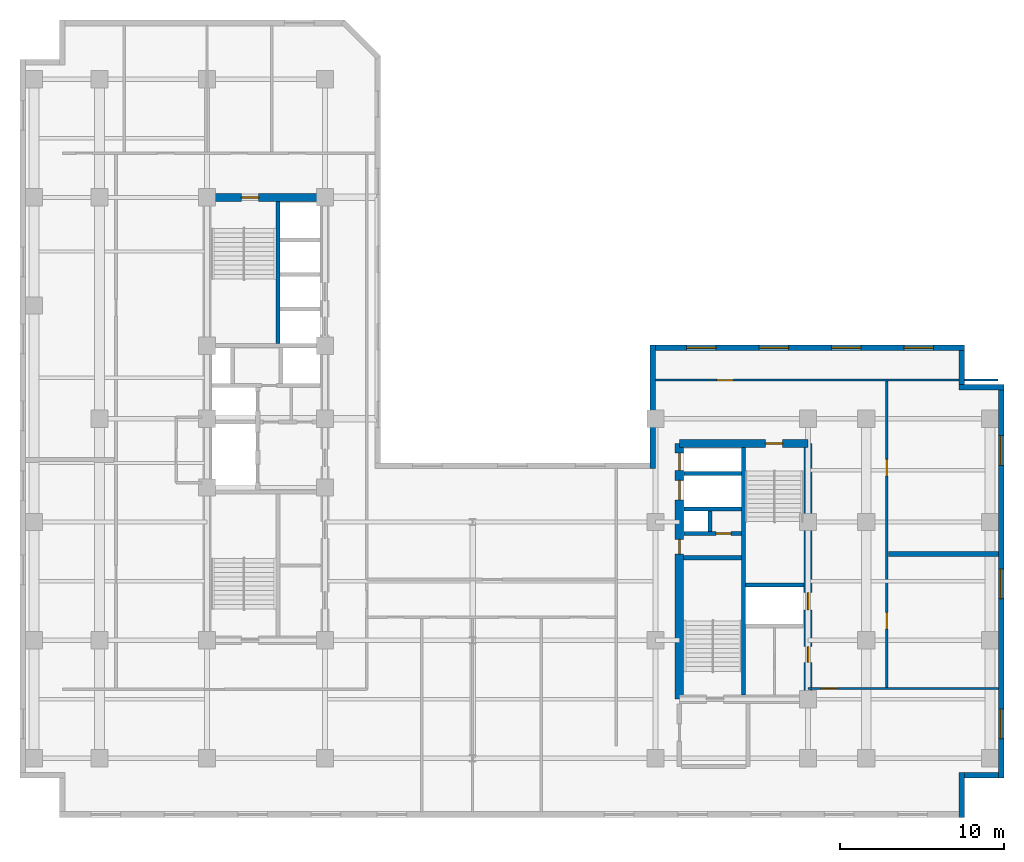
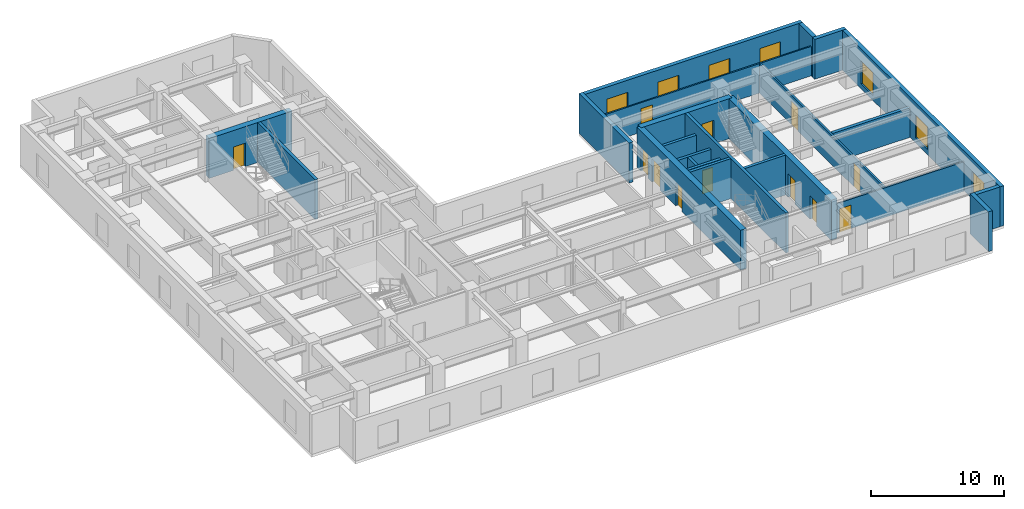
# One storey, part 5 of 9: 23 walls, 12 doors, 7 windows, 19 openings.
"""IFC4 building model written with IfcOpenShell, lengths in metres."""

from ifc_helpers import new_model, entity, si_unit, converted_unit, direction, frame, origin_with_axes, origin_2d_with_axis, place, context, subcontext, project, spatial, polyline, rectangle, outline, extrude, material, layer, layer_set, type_object, element, fill, save


model = new_model("IFC4")

# Units and contexts
model_context = context("Model", 3, precision=1e-05, world=origin_with_axes(), true_north=direction((0.0, 1.0)))
body_context = subcontext(model_context, "Body", "Model", "MODEL_VIEW")
ifc_project = project(units=[si_unit("LENGTHUNIT", "METRE"), si_unit("AREAUNIT", "SQUARE_METRE"), si_unit("VOLUMEUNIT", "CUBIC_METRE"), converted_unit("PLANEANGLEUNIT", "DEGREE", entity("IfcPlaneAngleMeasure", 0.017453292519943295), si_unit("PLANEANGLEUNIT", "RADIAN"), dimensions=[0, 0, 0, 0, 0, 0, 0]), si_unit("MASSUNIT", "GRAM", prefix="KILO"), si_unit("THERMODYNAMICTEMPERATUREUNIT", "KELVIN")], contexts=[model_context])

# Site, building, storey
site_placement = place(None, origin_with_axes())
site = spatial("IfcSite", under=ifc_project, at=site_placement, CompositionType="ELEMENT")
building_placement = place(site_placement, origin_with_axes())
building = spatial("IfcBuilding", under=site, at=building_placement, Name="Varnlund Millrace Tower", CompositionType="ELEMENT")
storey_placement = place(building_placement, frame((0.0, 0.0, 140.7), z_axis=(0.0, 0.0, 1.0), x_axis=(1.0, 0.0, 0.0)))
storey = spatial("IfcBuildingStorey", under=building, at=storey_placement, Name="L34", CompositionType="ELEMENT", Elevation=140.7)

# Wall, opening, door
ifc_material_1 = material(Name="Concrete C70/85", Category="concrete")
ifc_layer_1 = layer(ifc_material_1, 0.5, Name="Concrete C70/85")
ifc_layer_set_1 = layer_set([ifc_layer_1], Name="Concrete C70/85")
wall_type_1 = type_object("IfcWallType", Name="Type-CoreWall-Shear-500-C70", PredefinedType="SHEAR", material=ifc_layer_set_1)
wall_1_placement = place(storey_placement, frame((11.4, 37.8, 0.0), z_axis=(0.0, 0.0, 1.0), x_axis=(1.0, 0.0, 0.0)))
wall_1 = element("IfcWall", 1, at=wall_1_placement, inside=storey, type_object=wall_type_1, Name="Type-CoreWall-Shear-500-C70", PredefinedType="SHEAR", context=body_context, shape_type="SweptSolid", body=[
    extrude(outline(polyline([(0.0, -0.25), (7.2, -0.25), (7.2, 0.25), (0.0, 0.25), (0.0, -0.25)])), origin_with_axes(), (0.0, 0.0, 1.0), 3.66),
])
opening_1_placement = place(wall_1_placement, frame((2.625, 0.0, 0.0), z_axis=(0.0, 0.0, 1.0), x_axis=(1.0, 0.0, 0.0)))
opening_1 = element("IfcOpeningElement", 2, at=opening_1_placement, cuts=wall_1, Name="Opening L34:DR-STA2", PredefinedType="OPENING", context=body_context, shape_type="SweptSolid", body=[
    extrude(rectangle(XDim=1.05, YDim=0.52, at=origin_2d_with_axis()), origin_with_axes(), (0.0, 0.0, 1.0), 2.15),
])
ifc_material_2 = material(Name="Fire-rated hollow steel door", Category="steel")
door_type_1 = type_object("IfcDoorType", Name="Type-FireDoor-Stair-1050X2150", OperationType="NOTDEFINED", PredefinedType="DOOR", material=ifc_material_2)
door_1_placement = place(wall_1_placement, frame((2.625, 0.0, 0.0), z_axis=(0.0, 0.0, 1.0), x_axis=(1.0, 0.0, 0.0)))
door_1 = element("IfcDoor", 3, at=door_1_placement, inside=storey, type_object=door_type_1, Name="Type-FireDoor-Stair-1050X2150", OperationType="SINGLE_SWING_RIGHT", OverallHeight=2.15, OverallWidth=1.05, PredefinedType="DOOR", context=body_context, shape_type="SweptSolid", body=[
    extrude(rectangle(XDim=1.05, YDim=0.09, at=origin_2d_with_axis()), origin_with_axes(), (0.0, 0.0, 1.0), 2.15),
])
fill(opening_1, door_1)

# Wall, openings, doors
wall_2_placement = place(storey_placement, frame((40.2, 7.2, 0.0), z_axis=(0.0, 0.0, 1.0), x_axis=(0.0, 1.0, 0.0)))
wall_2 = element("IfcWall", 4, at=wall_2_placement, inside=storey, type_object=wall_type_1, Name="Type-CoreWall-Shear-500-C70", PredefinedType="SHEAR", context=body_context, shape_type="SweptSolid", body=[
    extrude(outline(polyline([(0.0, -0.25), (15.6, -0.25), (15.6, 0.25), (0.0, 0.25), (0.0, -0.25)])), origin_with_axes(), (0.0, 0.0, 1.0), 3.66),
])
opening_2_placement = place(wall_2_placement, frame((14.475, 0.0, 0.0), z_axis=(0.0, 0.0, 1.0), x_axis=(1.0, 0.0, 0.0)))
opening_2 = element("IfcOpeningElement", 5, at=opening_2_placement, cuts=wall_2, Name="Opening L34:LD-ELV-M4", PredefinedType="OPENING", context=body_context, shape_type="SweptSolid", body=[
    extrude(rectangle(XDim=1.05, YDim=0.52, at=origin_2d_with_axis()), origin_with_axes(), (0.0, 0.0, 1.0), 2.15),
])
opening_3_placement = place(wall_2_placement, frame((12.75, 0.0, 0.0), z_axis=(0.0, 0.0, 1.0), x_axis=(1.0, 0.0, 0.0)))
opening_3 = element("IfcOpeningElement", 6, at=opening_3_placement, cuts=wall_2, Name="Opening L34:LD-SRV2", PredefinedType="OPENING", context=body_context, shape_type="SweptSolid", body=[
    extrude(rectangle(XDim=1.2, YDim=0.52, at=origin_2d_with_axis()), origin_with_axes(), (0.0, 0.0, 1.0), 2.15),
])
opening_4_placement = place(wall_2_placement, frame((9.3, 0.0, 0.0), z_axis=(0.0, 0.0, 1.0), x_axis=(1.0, 0.0, 0.0)))
opening_4 = element("IfcOpeningElement", 7, at=opening_4_placement, cuts=wall_2, Name="Opening L34:DR-CB-JAN", PredefinedType="OPENING", context=body_context, shape_type="SweptSolid", body=[
    extrude(rectangle(XDim=0.9, YDim=0.52, at=origin_2d_with_axis()), origin_with_axes(), (0.0, 0.0, 1.0), 2.15),
])
ifc_material_3 = material(Name="Fire-rated hollow steel service closet door", Category="steel")
door_type_2 = type_object("IfcDoorType", Name="Type-FireDoor-Closet-900X2150", OperationType="NOTDEFINED", PredefinedType="DOOR", material=ifc_material_3)
door_2_placement = place(wall_2_placement, frame((9.3, 0.0, 0.0), z_axis=(0.0, 0.0, 1.0), x_axis=(1.0, 0.0, 0.0)))
door_2 = element("IfcDoor", 8, at=door_2_placement, inside=storey, type_object=door_type_2, Name="Type-FireDoor-Closet-900X2150", OperationType="SINGLE_SWING_RIGHT", OverallHeight=2.15, OverallWidth=0.9, PredefinedType="DOOR", context=body_context, shape_type="SweptSolid", body=[
    extrude(rectangle(XDim=0.9, YDim=0.09, at=origin_2d_with_axis()), origin_with_axes(), (0.0, 0.0, 1.0), 2.15),
])
fill(opening_4, door_2)
ifc_material_4 = material(Name="Architectural bronze sliding landing door")
door_type_3 = type_object("IfcDoorType", Name="Type-LiftLandingDoor-Compact-1050X2150", OperationType="NOTDEFINED", PredefinedType="DOOR", material=ifc_material_4)
door_3_placement = place(wall_2_placement, frame((14.475, 0.0, 0.0), z_axis=(0.0, 0.0, 1.0), x_axis=(1.0, 0.0, 0.0)))
door_3 = element("IfcDoor", 9, at=door_3_placement, inside=storey, type_object=door_type_3, Name="Type-LiftLandingDoor-Compact-1050X2150", OperationType="SLIDING_TO_RIGHT", OverallHeight=2.15, OverallWidth=1.05, PredefinedType="DOOR", context=body_context, shape_type="SweptSolid", body=[
    extrude(rectangle(XDim=1.05, YDim=0.09, at=origin_2d_with_axis()), origin_with_axes(), (0.0, 0.0, 1.0), 2.15),
])
fill(opening_2, door_3)
ifc_material_5 = material(Name="Heavy-duty freight sliding landing door")
door_type_4 = type_object("IfcDoorType", Name="Type-LiftLandingDoor-Service-1200X2150", OperationType="NOTDEFINED", PredefinedType="DOOR", material=ifc_material_5)
door_4_placement = place(wall_2_placement, frame((12.75, 0.0, 0.0), z_axis=(0.0, 0.0, 1.0), x_axis=(1.0, 0.0, 0.0)))
door_4 = element("IfcDoor", 10, at=door_4_placement, inside=storey, type_object=door_type_4, Name="Type-LiftLandingDoor-Service-1200X2150", OperationType="DOUBLE_DOOR_SLIDING", OverallHeight=2.15, OverallWidth=1.2, PredefinedType="DOOR", context=body_context, shape_type="SweptSolid", body=[
    extrude(rectangle(XDim=1.2, YDim=0.09, at=origin_2d_with_axis()), origin_with_axes(), (0.0, 0.0, 1.0), 2.15),
])
fill(opening_3, door_4)

# Wall, opening, door
wall_3_placement = place(storey_placement, frame((40.2, 22.8, 0.0), z_axis=(0.0, 0.0, 1.0), x_axis=(1.0, 0.0, 0.0)))
wall_3 = element("IfcWall", 11, at=wall_3_placement, inside=storey, type_object=wall_type_1, Name="Type-CoreWall-Shear-500-C70", PredefinedType="SHEAR", context=body_context, shape_type="SweptSolid", body=[
    extrude(outline(polyline([(0.0, -0.25), (7.85, -0.25), (7.85, 0.25), (0.0, 0.25), (0.0, -0.25)])), origin_with_axes(), (0.0, 0.0, 1.0), 3.66),
])
opening_5_placement = place(wall_3_placement, frame((5.775, 0.0, 0.0), z_axis=(0.0, 0.0, 1.0), x_axis=(1.0, 0.0, 0.0)))
opening_5 = element("IfcOpeningElement", 12, at=opening_5_placement, cuts=wall_3, Name="Opening L34:DR-STB2", PredefinedType="OPENING", context=body_context, shape_type="SweptSolid", body=[
    extrude(rectangle(XDim=1.05, YDim=0.52, at=origin_2d_with_axis()), origin_with_axes(), (0.0, 0.0, 1.0), 2.15),
])
door_5_placement = place(wall_3_placement, frame((5.775, 0.0, 0.0), z_axis=(0.0, 0.0, 1.0), x_axis=(1.0, 0.0, 0.0)))
door_5 = element("IfcDoor", 13, at=door_5_placement, inside=storey, type_object=door_type_1, Name="Type-FireDoor-Stair-1050X2150", OperationType="SINGLE_SWING_RIGHT", OverallHeight=2.15, OverallWidth=1.05, PredefinedType="DOOR", context=body_context, shape_type="SweptSolid", body=[
    extrude(rectangle(XDim=1.05, YDim=0.09, at=origin_2d_with_axis()), origin_with_axes(), (0.0, 0.0, 1.0), 2.15),
])
fill(opening_5, door_5)

# Wall, openings, doors
wall_4_placement = place(storey_placement, frame((48.05, 7.2, 0.0), z_axis=(0.0, 0.0, 1.0), x_axis=(0.0, 1.0, 0.0)))
wall_4 = element("IfcWall", 14, at=wall_4_placement, inside=storey, type_object=wall_type_1, Name="Type-CoreWall-Shear-500-C70", PredefinedType="SHEAR", context=body_context, shape_type="SweptSolid", body=[
    extrude(outline(polyline([(0.0, -0.25), (15.6, -0.25), (15.6, 0.25), (0.0, 0.25), (0.0, -0.25)])), origin_with_axes(), (0.0, 0.0, 1.0), 3.66),
])
opening_6_placement = place(wall_4_placement, frame((5.975, 0.0, 0.0), z_axis=(0.0, 0.0, 1.0), x_axis=(1.0, 0.0, 0.0)))
opening_6 = element("IfcOpeningElement", 15, at=opening_6_placement, cuts=wall_4, Name="Opening L34:LD-ELV-M3", PredefinedType="OPENING", context=body_context, shape_type="SweptSolid", body=[
    extrude(rectangle(XDim=1.05, YDim=0.52, at=origin_2d_with_axis()), origin_with_axes(), (0.0, 0.0, 1.0), 2.15),
])
opening_7_placement = place(wall_4_placement, frame((2.725, 0.0, 0.0), z_axis=(0.0, 0.0, 1.0), x_axis=(1.0, 0.0, 0.0)))
opening_7 = element("IfcOpeningElement", 16, at=opening_7_placement, cuts=wall_4, Name="Opening L34:DR-CB-WC2", PredefinedType="OPENING", context=body_context, shape_type="SweptSolid", body=[
    extrude(rectangle(XDim=0.95, YDim=0.52, at=origin_2d_with_axis()), origin_with_axes(), (0.0, 0.0, 1.0), 2.15),
])
ifc_material_6 = material(Name="Fire-rated hollow steel core service door", Category="steel")
door_type_5 = type_object("IfcDoorType", Name="Type-FireDoor-Service-950X2150", OperationType="NOTDEFINED", PredefinedType="DOOR", material=ifc_material_6)
door_6_placement = place(wall_4_placement, frame((2.725, 0.0, 0.0), z_axis=(0.0, 0.0, 1.0), x_axis=(1.0, 0.0, 0.0)))
door_6 = element("IfcDoor", 17, at=door_6_placement, inside=storey, type_object=door_type_5, Name="Type-FireDoor-Service-950X2150", OperationType="SINGLE_SWING_LEFT", OverallHeight=2.15, OverallWidth=0.95, PredefinedType="DOOR", context=body_context, shape_type="SweptSolid", body=[
    extrude(rectangle(XDim=0.95, YDim=0.09, at=origin_2d_with_axis()), origin_with_axes(), (0.0, 0.0, 1.0), 2.15),
])
fill(opening_7, door_6)
door_7_placement = place(wall_4_placement, frame((5.975, 0.0, 0.0), z_axis=(0.0, 0.0, 1.0), x_axis=(1.0, 0.0, 0.0)))
door_7 = element("IfcDoor", 18, at=door_7_placement, inside=storey, type_object=door_type_3, Name="Type-LiftLandingDoor-Compact-1050X2150", OperationType="SLIDING_TO_LEFT", OverallHeight=2.15, OverallWidth=1.05, PredefinedType="DOOR", context=body_context, shape_type="SweptSolid", body=[
    extrude(rectangle(XDim=1.05, YDim=0.09, at=origin_2d_with_axis()), origin_with_axes(), (0.0, 0.0, 1.0), 2.15),
])
fill(opening_6, door_7)

# Wall
ifc_material_7 = material(Name="Precast concrete C50/60", Category="concrete")
ifc_layer_2 = layer(ifc_material_7, 0.34, Name="Precast concrete C50/60")
ifc_layer_set_2 = layer_set([ifc_layer_2], Name="Precast concrete C50/60")
wall_type_2 = type_object("IfcWallType", Name="Type-ExtWall-Precast-Upper-340", PredefinedType="SOLIDWALL", material=ifc_layer_set_2)
wall_5_placement = place(storey_placement, frame((38.57, 21.26, 0.0), z_axis=(0.0, 0.0, 1.0), x_axis=(0.0, 1.0, 0.0)))
element("IfcWall", 19, at=wall_5_placement, inside=storey, type_object=wall_type_2, Name="Type-ExtWall-Precast-Upper-340", PredefinedType="SOLIDWALL", context=body_context, shape_type="SweptSolid", body=[
    extrude(outline(polyline([(0.0, -0.17), (7.54, -0.17), (7.54, 0.17), (0.0, 0.17), (0.0, -0.17)])), origin_with_axes(), (0.0, 0.0, 1.0), 3.66),
])

# Wall, openings, windows
wall_6_placement = place(storey_placement, frame((38.74, 28.63, 0.0), z_axis=(0.0, 0.0, 1.0), x_axis=(1.0, 0.0, 0.0)))
wall_6 = element("IfcWall", 20, at=wall_6_placement, inside=storey, type_object=wall_type_2, Name="Type-ExtWall-Precast-Upper-340", PredefinedType="SOLIDWALL", context=body_context, shape_type="SweptSolid", body=[
    extrude(outline(polyline([(0.0, -0.17), (18.86, -0.17), (18.86, 0.17), (0.0, 0.17), (0.0, -0.17)])), origin_with_axes(), (0.0, 0.0, 1.0), 3.66),
])
opening_8_placement = place(wall_6_placement, frame((2.808, 0.0, 0.45), z_axis=(0.0, 0.0, 1.0), x_axis=(1.0, 0.0, 0.0)))
opening_8 = element("IfcOpeningElement", 21, at=opening_8_placement, cuts=wall_6, Name="Opening L34:WN-01", PredefinedType="OPENING", context=body_context, shape_type="SweptSolid", body=[
    extrude(rectangle(XDim=1.8, YDim=0.36, at=origin_2d_with_axis()), origin_with_axes(), (0.0, 0.0, 1.0), 2.1),
])
opening_9_placement = place(wall_6_placement, frame((7.222, 0.0, 0.45), z_axis=(0.0, 0.0, 1.0), x_axis=(1.0, 0.0, 0.0)))
opening_9 = element("IfcOpeningElement", 22, at=opening_9_placement, cuts=wall_6, Name="Opening L34:WN-02", PredefinedType="OPENING", context=body_context, shape_type="SweptSolid", body=[
    extrude(rectangle(XDim=1.8, YDim=0.36, at=origin_2d_with_axis()), origin_with_axes(), (0.0, 0.0, 1.0), 2.1),
])
opening_10_placement = place(wall_6_placement, frame((11.637, 0.0, 0.45), z_axis=(0.0, 0.0, 1.0), x_axis=(1.0, 0.0, 0.0)))
opening_10 = element("IfcOpeningElement", 23, at=opening_10_placement, cuts=wall_6, Name="Opening L34:WN-03", PredefinedType="OPENING", context=body_context, shape_type="SweptSolid", body=[
    extrude(rectangle(XDim=1.8, YDim=0.36, at=origin_2d_with_axis()), origin_with_axes(), (0.0, 0.0, 1.0), 2.1),
])
opening_11_placement = place(wall_6_placement, frame((16.053, 0.0, 0.45), z_axis=(0.0, 0.0, 1.0), x_axis=(1.0, 0.0, 0.0)))
opening_11 = element("IfcOpeningElement", 24, at=opening_11_placement, cuts=wall_6, Name="Opening L34:WN-04", PredefinedType="OPENING", context=body_context, shape_type="SweptSolid", body=[
    extrude(rectangle(XDim=1.8, YDim=0.36, at=origin_2d_with_axis()), origin_with_axes(), (0.0, 0.0, 1.0), 2.1),
])
ifc_material_8 = material(Name="Argon low-e triple glazing in thermally broken bronze frame", Category="glass")
window_type = type_object("IfcWindowType", Name="Type-Window-Punched-1800X2100", PartitioningType="SINGLE_PANEL", PredefinedType="WINDOW", material=ifc_material_8)
window_1_placement = place(wall_6_placement, frame((2.808, 0.0, 0.45), z_axis=(0.0, 0.0, 1.0), x_axis=(1.0, 0.0, 0.0)))
window_1 = element("IfcWindow", 25, at=window_1_placement, inside=storey, type_object=window_type, Name="Type-Window-Punched-1800X2100", OverallHeight=2.1, OverallWidth=1.8, PredefinedType="WINDOW", context=body_context, shape_type="SweptSolid", body=[
    extrude(rectangle(XDim=1.8, YDim=0.09, at=origin_2d_with_axis()), origin_with_axes(), (0.0, 0.0, 1.0), 2.1),
])
fill(opening_8, window_1)
window_2_placement = place(wall_6_placement, frame((7.222, 0.0, 0.45), z_axis=(0.0, 0.0, 1.0), x_axis=(1.0, 0.0, 0.0)))
window_2 = element("IfcWindow", 26, at=window_2_placement, inside=storey, type_object=window_type, Name="Type-Window-Punched-1800X2100", OverallHeight=2.1, OverallWidth=1.8, PredefinedType="WINDOW", context=body_context, shape_type="SweptSolid", body=[
    extrude(rectangle(XDim=1.8, YDim=0.09, at=origin_2d_with_axis()), origin_with_axes(), (0.0, 0.0, 1.0), 2.1),
])
fill(opening_9, window_2)
window_3_placement = place(wall_6_placement, frame((11.637, 0.0, 0.45), z_axis=(0.0, 0.0, 1.0), x_axis=(1.0, 0.0, 0.0)))
window_3 = element("IfcWindow", 27, at=window_3_placement, inside=storey, type_object=window_type, Name="Type-Window-Punched-1800X2100", OverallHeight=2.1, OverallWidth=1.8, PredefinedType="WINDOW", context=body_context, shape_type="SweptSolid", body=[
    extrude(rectangle(XDim=1.8, YDim=0.09, at=origin_2d_with_axis()), origin_with_axes(), (0.0, 0.0, 1.0), 2.1),
])
fill(opening_10, window_3)
window_4_placement = place(wall_6_placement, frame((16.053, 0.0, 0.45), z_axis=(0.0, 0.0, 1.0), x_axis=(1.0, 0.0, 0.0)))
window_4 = element("IfcWindow", 28, at=window_4_placement, inside=storey, type_object=window_type, Name="Type-Window-Punched-1800X2100", OverallHeight=2.1, OverallWidth=1.8, PredefinedType="WINDOW", context=body_context, shape_type="SweptSolid", body=[
    extrude(rectangle(XDim=1.8, YDim=0.09, at=origin_2d_with_axis()), origin_with_axes(), (0.0, 0.0, 1.0), 2.1),
])
fill(opening_11, window_4)

# Walls
wall_7_placement = place(storey_placement, frame((57.43, 28.46, 0.0), z_axis=(0.0, 0.0, 1.0), x_axis=(0.0, -1.0, 0.0)))
element("IfcWall", 29, at=wall_7_placement, inside=storey, type_object=wall_type_2, Name="Type-ExtWall-Precast-Upper-340", PredefinedType="SOLIDWALL", context=body_context, shape_type="SweptSolid", body=[
    extrude(outline(polyline([(0.0, -0.17), (2.06, -0.17), (2.06, 0.17), (0.0, 0.17), (0.0, -0.17)])), origin_with_axes(), (0.0, 0.0, 1.0), 3.66),
])
wall_8_placement = place(storey_placement, frame((57.26, 26.23, 0.0), z_axis=(0.0, 0.0, 1.0), x_axis=(1.0, 0.0, 0.0)))
element("IfcWall", 30, at=wall_8_placement, inside=storey, type_object=wall_type_2, Name="Type-ExtWall-Precast-Upper-340", PredefinedType="SOLIDWALL", context=body_context, shape_type="SweptSolid", body=[
    extrude(outline(polyline([(0.0, -0.17), (2.74, -0.17), (2.74, 0.17), (0.0, 0.17), (0.0, -0.17)])), origin_with_axes(), (0.0, 0.0, 1.0), 3.66),
])

# Wall, openings, windows
wall_9_placement = place(storey_placement, frame((59.83, 26.06, 0.0), z_axis=(0.0, 0.0, 1.0), x_axis=(0.0, -1.0, 0.0)))
wall_9 = element("IfcWall", 31, at=wall_9_placement, inside=storey, type_object=wall_type_2, Name="Type-ExtWall-Precast-Upper-340", PredefinedType="SOLIDWALL", context=body_context, shape_type="SweptSolid", body=[
    extrude(outline(polyline([(0.0, -0.17), (23.66, -0.17), (23.66, 0.17), (0.0, 0.17), (0.0, -0.17)])), origin_with_axes(), (0.0, 0.0, 1.0), 3.66),
])
opening_12_placement = place(wall_9_placement, frame((3.696, 0.0, 0.45), z_axis=(0.0, 0.0, 1.0), x_axis=(1.0, 0.0, 0.0)))
opening_12 = element("IfcOpeningElement", 32, at=opening_12_placement, cuts=wall_9, Name="Opening L34:WN-05", PredefinedType="OPENING", context=body_context, shape_type="SweptSolid", body=[
    extrude(rectangle(XDim=1.8, YDim=0.36, at=origin_2d_with_axis()), origin_with_axes(), (0.0, 0.0, 1.0), 2.1),
])
opening_13_placement = place(wall_9_placement, frame((11.83, 0.0, 0.45), z_axis=(0.0, 0.0, 1.0), x_axis=(1.0, 0.0, 0.0)))
opening_13 = element("IfcOpeningElement", 33, at=opening_13_placement, cuts=wall_9, Name="Opening L34:WN-06", PredefinedType="OPENING", context=body_context, shape_type="SweptSolid", body=[
    extrude(rectangle(XDim=1.8, YDim=0.36, at=origin_2d_with_axis()), origin_with_axes(), (0.0, 0.0, 1.0), 2.1),
])
opening_14_placement = place(wall_9_placement, frame((20.364, 0.0, 0.45), z_axis=(0.0, 0.0, 1.0), x_axis=(1.0, 0.0, 0.0)))
opening_14 = element("IfcOpeningElement", 34, at=opening_14_placement, cuts=wall_9, Name="Opening L34:WN-07", PredefinedType="OPENING", context=body_context, shape_type="SweptSolid", body=[
    extrude(rectangle(XDim=1.8, YDim=0.36, at=origin_2d_with_axis()), origin_with_axes(), (0.0, 0.0, 1.0), 2.1),
])
window_5_placement = place(wall_9_placement, frame((3.696, 0.0, 0.45), z_axis=(0.0, 0.0, 1.0), x_axis=(1.0, 0.0, 0.0)))
window_5 = element("IfcWindow", 35, at=window_5_placement, inside=storey, type_object=window_type, Name="Type-Window-Punched-1800X2100", OverallHeight=2.1, OverallWidth=1.8, PredefinedType="WINDOW", context=body_context, shape_type="SweptSolid", body=[
    extrude(rectangle(XDim=1.8, YDim=0.09, at=origin_2d_with_axis()), origin_with_axes(), (0.0, 0.0, 1.0), 2.1),
])
fill(opening_12, window_5)
window_6_placement = place(wall_9_placement, frame((11.83, 0.0, 0.45), z_axis=(0.0, 0.0, 1.0), x_axis=(1.0, 0.0, 0.0)))
window_6 = element("IfcWindow", 36, at=window_6_placement, inside=storey, type_object=window_type, Name="Type-Window-Punched-1800X2100", OverallHeight=2.1, OverallWidth=1.8, PredefinedType="WINDOW", context=body_context, shape_type="SweptSolid", body=[
    extrude(rectangle(XDim=1.8, YDim=0.09, at=origin_2d_with_axis()), origin_with_axes(), (0.0, 0.0, 1.0), 2.1),
])
fill(opening_13, window_6)
window_7_placement = place(wall_9_placement, frame((20.364, 0.0, 0.45), z_axis=(0.0, 0.0, 1.0), x_axis=(1.0, 0.0, 0.0)))
window_7 = element("IfcWindow", 37, at=window_7_placement, inside=storey, type_object=window_type, Name="Type-Window-Punched-1800X2100", OverallHeight=2.1, OverallWidth=1.8, PredefinedType="WINDOW", context=body_context, shape_type="SweptSolid", body=[
    extrude(rectangle(XDim=1.8, YDim=0.09, at=origin_2d_with_axis()), origin_with_axes(), (0.0, 0.0, 1.0), 2.1),
])
fill(opening_14, window_7)

# Walls
wall_10_placement = place(storey_placement, frame((59.66, 2.57, 0.0), z_axis=(0.0, 0.0, 1.0), x_axis=(-1.0, 0.0, 0.0)))
element("IfcWall", 38, at=wall_10_placement, inside=storey, type_object=wall_type_2, Name="Type-ExtWall-Precast-Upper-340", PredefinedType="SOLIDWALL", context=body_context, shape_type="SweptSolid", body=[
    extrude(outline(polyline([(0.0, -0.17), (2.06, -0.17), (2.06, 0.17), (0.0, 0.17), (0.0, -0.17)])), origin_with_axes(), (0.0, 0.0, 1.0), 3.66),
])
wall_11_placement = place(storey_placement, frame((57.43, 2.74, 0.0), z_axis=(0.0, 0.0, 1.0), x_axis=(0.0, -1.0, 0.0)))
element("IfcWall", 39, at=wall_11_placement, inside=storey, type_object=wall_type_2, Name="Type-ExtWall-Precast-Upper-340", PredefinedType="SOLIDWALL", context=body_context, shape_type="SweptSolid", body=[
    extrude(outline(polyline([(0.0, -0.17), (2.74, -0.17), (2.74, 0.17), (0.0, 0.17), (0.0, -0.17)])), origin_with_axes(), (0.0, 0.0, 1.0), 3.66),
])
ifc_material_9 = material(Name="Double-stud STC-60 conference acoustic partition", Category="gypsum")
ifc_layer_3 = layer(ifc_material_9, 0.28, Name="Double-stud STC-60 conference acoustic partition")
ifc_layer_set_3 = layer_set([ifc_layer_3], Name="Double-stud STC-60 conference acoustic partition")
wall_type_3 = type_object("IfcWallType", Name="Type-Partition-Acoustic-280", PredefinedType="PARTITIONING", material=ifc_layer_set_3)
wall_12_placement = place(storey_placement, frame((52.97, 16.055, 0.0), z_axis=(0.0, 0.0, 1.0), x_axis=(1.0, 0.0, 0.0)))
element("IfcWall", 40, at=wall_12_placement, inside=storey, type_object=wall_type_3, Name="Type-Partition-Acoustic-280", PredefinedType="PARTITIONING", context=body_context, shape_type="SweptSolid", body=[
    extrude(outline(polyline([(0.0, -0.14), (6.695, -0.14), (6.695, 0.14), (0.0, 0.14), (0.0, -0.14)])), origin_with_axes(), (0.0, 0.0, 1.0), 2.7),
])

# Wall, openings, doors
ifc_material_10 = material(Name="Fire-rated gypsum board on cold-formed steel framing", Category="steel")
ifc_layer_4 = layer(ifc_material_10, 0.16, Name="Fire-rated gypsum board on cold-formed steel framing")
ifc_layer_set_4 = layer_set([ifc_layer_4], Name="Fire-rated gypsum board on cold-formed steel framing")
wall_type_4 = type_object("IfcWallType", Name="Type-Partition-Corridor-160", PredefinedType="PARTITIONING", material=ifc_layer_set_4)
wall_13_placement = place(storey_placement, frame((52.85, 7.85, 0.0), z_axis=(0.0, 0.0, 1.0), x_axis=(0.0, 1.0, 0.0)))
wall_13 = element("IfcWall", 41, at=wall_13_placement, inside=storey, type_object=wall_type_4, Name="Type-Partition-Corridor-160", PredefinedType="PARTITIONING", context=body_context, shape_type="SweptSolid", body=[
    extrude(outline(polyline([(0.0, -0.08), (18.8, -0.08), (18.8, 0.08), (0.0, 0.08), (0.0, -0.08)])), origin_with_axes(), (0.0, 0.0, 1.0), 2.7),
])
opening_15_placement = place(wall_13_placement, frame((4.1325, 0.0, 0.0), z_axis=(0.0, 0.0, 1.0), x_axis=(1.0, 0.0, 0.0)))
opening_15 = element("IfcOpeningElement", 42, at=opening_15_placement, cuts=wall_13, Name="Opening L34:DR-WB-01", PredefinedType="OPENING", context=body_context, shape_type="SweptSolid", body=[
    extrude(rectangle(XDim=1.0, YDim=0.18, at=origin_2d_with_axis()), origin_with_axes(), (0.0, 0.0, 1.0), 2.15),
])
opening_16_placement = place(wall_13_placement, frame((13.4725, 0.0, 0.0), z_axis=(0.0, 0.0, 1.0), x_axis=(1.0, 0.0, 0.0)))
opening_16 = element("IfcOpeningElement", 43, at=opening_16_placement, cuts=wall_13, Name="Opening L34:DR-WB-02", PredefinedType="OPENING", context=body_context, shape_type="SweptSolid", body=[
    extrude(rectangle(XDim=1.0, YDim=0.18, at=origin_2d_with_axis()), origin_with_axes(), (0.0, 0.0, 1.0), 2.15),
])
ifc_material_11 = material(Name="Solid-core white oak and bronze frame door")
door_type_6 = type_object("IfcDoorType", Name="Type-IntDoor-Office-1000X2150", OperationType="NOTDEFINED", PredefinedType="DOOR", material=ifc_material_11)
door_8_placement = place(wall_13_placement, frame((4.1325, 0.0, 0.0), z_axis=(0.0, 0.0, 1.0), x_axis=(1.0, 0.0, 0.0)))
door_8 = element("IfcDoor", 44, at=door_8_placement, inside=storey, type_object=door_type_6, Name="Type-IntDoor-Office-1000X2150", OperationType="SINGLE_SWING_LEFT", OverallHeight=2.15, OverallWidth=1.0, PredefinedType="DOOR", context=body_context, shape_type="SweptSolid", body=[
    extrude(rectangle(XDim=1.0, YDim=0.09, at=origin_2d_with_axis()), origin_with_axes(), (0.0, 0.0, 1.0), 2.15),
])
fill(opening_15, door_8)
door_9_placement = place(wall_13_placement, frame((13.4725, 0.0, 0.0), z_axis=(0.0, 0.0, 1.0), x_axis=(1.0, 0.0, 0.0)))
door_9 = element("IfcDoor", 45, at=door_9_placement, inside=storey, type_object=door_type_6, Name="Type-IntDoor-Office-1000X2150", OperationType="SINGLE_SWING_RIGHT", OverallHeight=2.15, OverallWidth=1.0, PredefinedType="DOOR", context=body_context, shape_type="SweptSolid", body=[
    extrude(rectangle(XDim=1.0, YDim=0.09, at=origin_2d_with_axis()), origin_with_axes(), (0.0, 0.0, 1.0), 2.15),
])
fill(opening_16, door_9)

# Wall, opening, door
ifc_material_12 = material(Name="Gypsum board tenant partition", Category="gypsum")
ifc_layer_5 = layer(ifc_material_12, 0.125, Name="Gypsum board tenant partition")
ifc_layer_set_5 = layer_set([ifc_layer_5], Name="Gypsum board tenant partition")
wall_type_5 = type_object("IfcWallType", Name="Type-Partition-Tenant-125", PredefinedType="PARTITIONING", material=ifc_layer_set_5)
wall_14_placement = place(storey_placement, frame((59.665, 7.85, 0.0), z_axis=(0.0, 0.0, 1.0), x_axis=(-1.0, 0.0, 0.0)))
wall_14 = element("IfcWall", 46, at=wall_14_placement, inside=storey, type_object=wall_type_5, Name="Type-Partition-Tenant-125", PredefinedType="PARTITIONING", context=body_context, shape_type="SweptSolid", body=[
    extrude(outline(polyline([(0.0, -0.0625), (11.615, -0.0625), (11.615, 0.0625), (0.0, 0.0625), (0.0, -0.0625)])), origin_with_axes(), (0.0, 0.0, 1.0), 2.7),
])
opening_17_placement = place(wall_14_placement, frame((10.315, 0.0, 0.0), z_axis=(0.0, 0.0, 1.0), x_axis=(1.0, 0.0, 0.0)))
opening_17 = element("IfcOpeningElement", 47, at=opening_17_placement, cuts=wall_14, Name="Opening L34:DR-WBS-01", PredefinedType="OPENING", context=body_context, shape_type="SweptSolid", body=[
    extrude(rectangle(XDim=1.0, YDim=0.145, at=origin_2d_with_axis()), origin_with_axes(), (0.0, 0.0, 1.0), 2.15),
])
door_10_placement = place(wall_14_placement, frame((10.315, 0.0, 0.0), z_axis=(0.0, 0.0, 1.0), x_axis=(1.0, 0.0, 0.0)))
door_10 = element("IfcDoor", 48, at=door_10_placement, inside=storey, type_object=door_type_6, Name="Type-IntDoor-Office-1000X2150", OperationType="SINGLE_SWING_LEFT", OverallHeight=2.15, OverallWidth=1.0, PredefinedType="DOOR", context=body_context, shape_type="SweptSolid", body=[
    extrude(rectangle(XDim=1.0, YDim=0.075, at=origin_2d_with_axis()), origin_with_axes(), (0.0, 0.0, 1.0), 2.15),
])
fill(opening_17, door_10)

wall_15_placement = place(storey_placement, frame((38.735, 26.65, 0.0), z_axis=(0.0, 0.0, 1.0), x_axis=(1.0, 0.0, 0.0)))
wall_15 = element("IfcWall", 49, at=wall_15_placement, inside=storey, type_object=wall_type_5, Name="Type-Partition-Tenant-125", PredefinedType="PARTITIONING", context=body_context, shape_type="SweptSolid", body=[
    extrude(outline(polyline([(0.0, -0.0625), (20.905, -0.0625), (20.905, 0.0625), (0.0, 0.0625), (0.0, -0.0625)])), origin_with_axes(), (0.0, 0.0, 1.0), 2.7),
])
opening_18_placement = place(wall_15_placement, frame((4.265, 0.0, 0.0), z_axis=(0.0, 0.0, 1.0), x_axis=(1.0, 0.0, 0.0)))
opening_18 = element("IfcOpeningElement", 50, at=opening_18_placement, cuts=wall_15, Name="Opening L34:DR-WBN-01", PredefinedType="OPENING", context=body_context, shape_type="SweptSolid", body=[
    extrude(rectangle(XDim=1.0, YDim=0.145, at=origin_2d_with_axis()), origin_with_axes(), (0.0, 0.0, 1.0), 2.15),
])
door_11_placement = place(wall_15_placement, frame((4.265, 0.0, 0.0), z_axis=(0.0, 0.0, 1.0), x_axis=(1.0, 0.0, 0.0)))
door_11 = element("IfcDoor", 51, at=door_11_placement, inside=storey, type_object=door_type_6, Name="Type-IntDoor-Office-1000X2150", OperationType="SINGLE_SWING_RIGHT", OverallHeight=2.15, OverallWidth=1.0, PredefinedType="DOOR", context=body_context, shape_type="SweptSolid", body=[
    extrude(rectangle(XDim=1.0, YDim=0.075, at=origin_2d_with_axis()), origin_with_axes(), (0.0, 0.0, 1.0), 2.15),
])
fill(opening_18, door_11)

ifc_material_13 = material(Name="Concrete C60/75", Category="concrete")
ifc_layer_6 = layer(ifc_material_13, 0.25, Name="Concrete C60/75")
ifc_layer_set_6 = layer_set([ifc_layer_6], Name="Concrete C60/75")
wall_type_6 = type_object("IfcWallType", Name="Type-ShaftWall-Fire-250", PredefinedType="SOLIDWALL", material=ifc_layer_set_6)
wall_16_placement = place(storey_placement, frame((40.5, 17.3, 0.0), z_axis=(0.0, 0.0, 1.0), x_axis=(1.0, 0.0, 0.0)))
wall_16 = element("IfcWall", 52, at=wall_16_placement, inside=storey, type_object=wall_type_6, Name="Type-ShaftWall-Fire-250", PredefinedType="SOLIDWALL", context=body_context, shape_type="SweptSolid", body=[
    extrude(outline(polyline([(0.0, -0.125), (3.5, -0.125), (3.5, 0.125), (0.0, 0.125), (0.0, -0.125)])), origin_with_axes(), (0.0, 0.0, 1.0), 2.7),
])
opening_19_placement = place(wall_16_placement, frame((2.4, 0.0, 0.0), z_axis=(0.0, 0.0, 1.0), x_axis=(1.0, 0.0, 0.0)))
opening_19 = element("IfcOpeningElement", 53, at=opening_19_placement, cuts=wall_16, Name="Opening L34:DR-CB-ELC", PredefinedType="OPENING", context=body_context, shape_type="SweptSolid", body=[
    extrude(rectangle(XDim=0.9, YDim=0.27, at=origin_2d_with_axis()), origin_with_axes(), (0.0, 0.0, 1.0), 2.15),
])
door_12_placement = place(wall_16_placement, frame((2.4, 0.0, 0.0), z_axis=(0.0, 0.0, 1.0), x_axis=(1.0, 0.0, 0.0)))
door_12 = element("IfcDoor", 54, at=door_12_placement, inside=storey, type_object=door_type_2, Name="Type-FireDoor-Closet-900X2150", OperationType="SINGLE_SWING_LEFT", OverallHeight=2.15, OverallWidth=0.9, PredefinedType="DOOR", context=body_context, shape_type="SweptSolid", body=[
    extrude(rectangle(XDim=0.9, YDim=0.09, at=origin_2d_with_axis()), origin_with_axes(), (0.0, 0.0, 1.0), 2.15),
])
fill(opening_19, door_12)

# Walls
wall_17_placement = place(storey_placement, frame((40.5, 18.8, 0.0), z_axis=(0.0, 0.0, 1.0), x_axis=(1.0, 0.0, 0.0)))
element("IfcWall", 55, at=wall_17_placement, inside=storey, type_object=wall_type_6, Name="Type-ShaftWall-Fire-250", PredefinedType="SOLIDWALL", context=body_context, shape_type="SweptSolid", body=[
    extrude(outline(polyline([(0.0, -0.125), (3.5, -0.125), (3.5, 0.125), (0.0, 0.125), (0.0, -0.125)])), origin_with_axes(), (0.0, 0.0, 1.0), 2.7),
])
wall_18_placement = place(storey_placement, frame((42.075, 17.43, 0.0), z_axis=(0.0, 0.0, 1.0), x_axis=(0.0, 1.0, 0.0)))
element("IfcWall", 56, at=wall_18_placement, inside=storey, type_object=wall_type_6, Name="Type-ShaftWall-Fire-250", PredefinedType="SOLIDWALL", context=body_context, shape_type="SweptSolid", body=[
    extrude(outline(polyline([(0.0, -0.125), (1.24, -0.125), (1.24, 0.125), (0.0, 0.125), (0.0, -0.125)])), origin_with_axes(), (0.0, 0.0, 1.0), 2.7),
])
wall_19_placement = place(storey_placement, frame((40.5, 20.96, 0.0), z_axis=(0.0, 0.0, 1.0), x_axis=(1.0, 0.0, 0.0)))
element("IfcWall", 57, at=wall_19_placement, inside=storey, type_object=wall_type_6, Name="Type-ShaftWall-Fire-250", PredefinedType="SOLIDWALL", context=body_context, shape_type="SweptSolid", body=[
    extrude(outline(polyline([(0.0, -0.125), (3.5, -0.125), (3.5, 0.125), (0.0, 0.125), (0.0, -0.125)])), origin_with_axes(), (0.0, 0.0, 1.0), 2.7),
])
wall_type_7 = type_object("IfcWallType", Name="Type-StairWall-Shear-250", PredefinedType="SHEAR", material=ifc_layer_set_6)
wall_20_placement = place(storey_placement, frame((15.725, 28.9, 0.0), z_axis=(0.0, 0.0, 1.0), x_axis=(0.0, 1.0, 0.0)))
element("IfcWall", 58, at=wall_20_placement, inside=storey, type_object=wall_type_7, Name="Type-StairWall-Shear-250", PredefinedType="SHEAR", context=body_context, shape_type="SweptSolid", body=[
    extrude(outline(polyline([(0.0, -0.125), (8.65, -0.125), (8.65, 0.125), (0.0, 0.125), (0.0, -0.125)])), origin_with_axes(), (0.0, 0.0, 1.0), 3.66),
])
wall_21_placement = place(storey_placement, frame((44.125, 7.45, 0.0), z_axis=(0.0, 0.0, 1.0), x_axis=(0.0, 1.0, 0.0)))
element("IfcWall", 59, at=wall_21_placement, inside=storey, type_object=wall_type_7, Name="Type-StairWall-Shear-250", PredefinedType="SHEAR", context=body_context, shape_type="SweptSolid", body=[
    extrude(outline(polyline([(0.0, -0.125), (15.1, -0.125), (15.1, 0.125), (0.0, 0.125), (0.0, -0.125)])), origin_with_axes(), (0.0, 0.0, 1.0), 3.66),
])
for number, where, z_axis, x_axis, name in (
    (60, (40.45, 15.825, 0.0), (0.0, 0.0, 1.0), (1.0, 0.0, 0.0), "Type-StairWall-Shear-250"),
    (61, (44.25, 14.175, 0.0), (0.0, 0.0, 1.0), (1.0, 0.0, 0.0), "Type-StairWall-Shear-250"),
):
    element("IfcWall", number, at=place(storey_placement, frame(where, z_axis=z_axis, x_axis=x_axis)), inside=storey, type_object=wall_type_7, Name=name, PredefinedType="SHEAR", context=body_context, shape_type="SweptSolid", body=[
        extrude(outline(polyline([(0.0, -0.125), (3.55, -0.125), (3.55, 0.125), (0.0, 0.125), (0.0, -0.125)])), origin_with_axes(), (0.0, 0.0, 1.0), 3.66),
    ])

save(model, "model.ifc")
